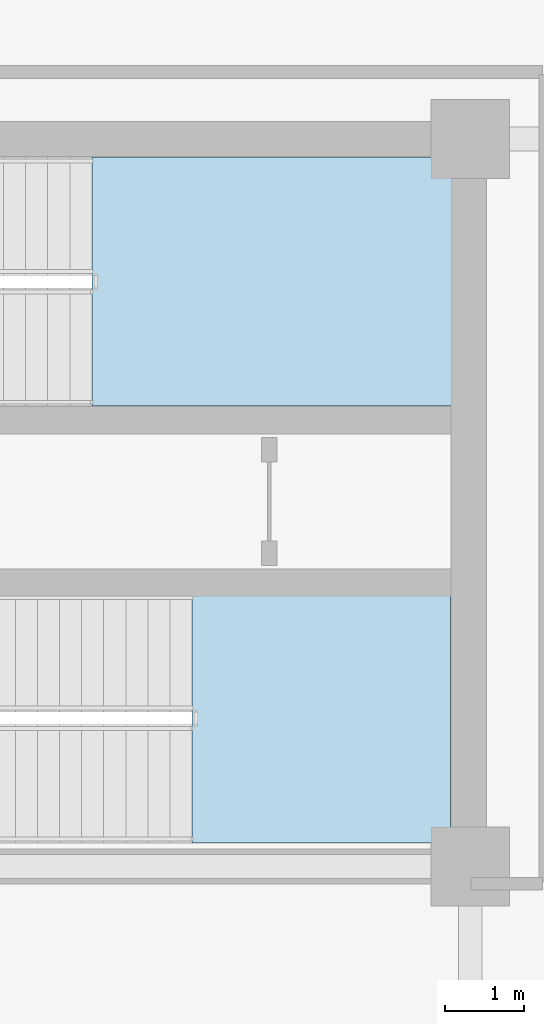
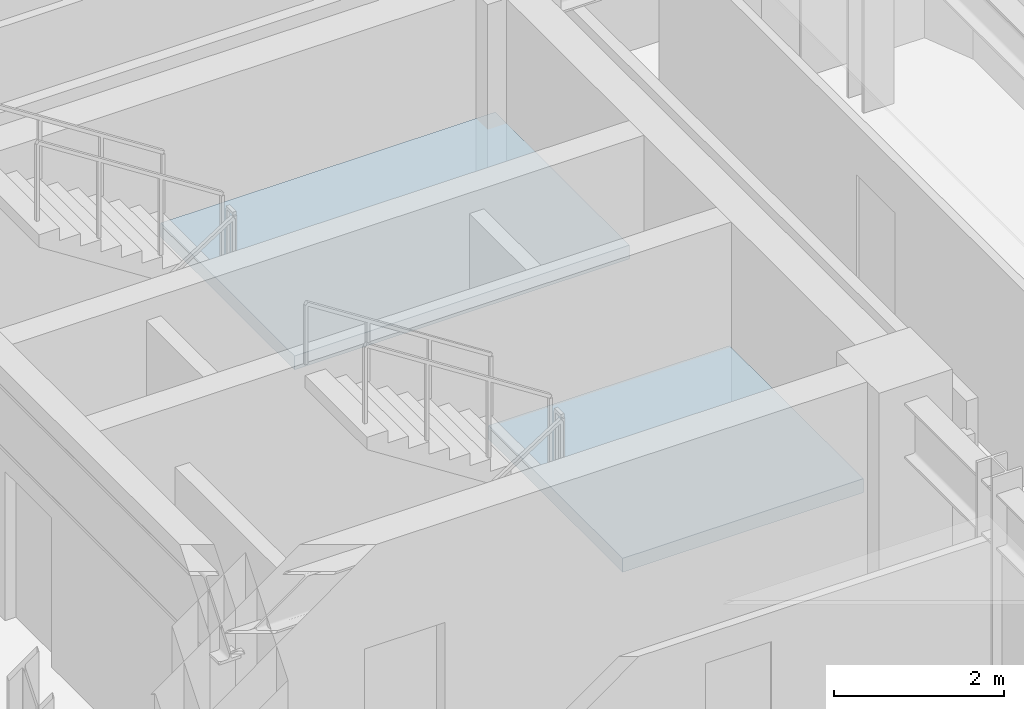
# One storey, part 4 of 14: 2 slabs, 2 elements without a shape of their own.
"""IFC4 building model written with IfcOpenShell, lengths in metres."""

from ifc_helpers import new_model, si_unit, direction, frame, origin, place, context, subcontext, project, spatial, polyline, outline, extrude, material, layer, layer_set, type_object, element, aggregate, save


model = new_model("IFC4")

# Units and contexts
model_context = context("Model", 3, precision=1e-05, world=origin(), true_north=direction((0.0, 1.0)))
body_context = subcontext(model_context, "Body", "Model", "MODEL_VIEW")
ifc_project = project(units=[si_unit("LENGTHUNIT", "METRE"), si_unit("AREAUNIT", "SQUARE_METRE"), si_unit("VOLUMEUNIT", "CUBIC_METRE"), si_unit("PLANEANGLEUNIT", "RADIAN"), si_unit("MASSUNIT", "GRAM", prefix="KILO")], contexts=[model_context])

# Site, building, storey
site_placement = place(None, origin())
site = spatial("IfcSite", under=ifc_project, at=site_placement, CompositionType="ELEMENT")
building_placement = place(site_placement, origin())
building = spatial("IfcBuilding", under=site, at=building_placement, Name="Zarnavel Station Tower", CompositionType="ELEMENT")
storey_placement = place(building_placement, frame((0.0, 0.0, 211.199951171875)))
storey = spatial("IfcBuildingStorey", under=building, at=storey_placement, Name="L57", CompositionType="ELEMENT", Elevation=211.199951171875)

# Stair, slab
ifc_material_1 = material(Name="Concrete C45/55", Category="concrete")
stair_type = type_object("IfcStairType", Name="ST_CORE_150", PredefinedType="HALF_TURN_STAIR", material=ifc_material_1)
stair_1_placement = place(storey_placement, origin())
stair_1 = element("IfcStair", 1, at=stair_1_placement, inside=storey, type_object=stair_type, Name="L57 Core Exit Stair ST2", PredefinedType="HALF_TURN_STAIR")
ifc_material_2 = material(Name="Concrete C45/55", Category="concrete")
ifc_layer = layer(ifc_material_2, 0.199951171875)
ifc_layer_set = layer_set([ifc_layer], Name="SL_STAIR_LAND_200")
slab_type = type_object("IfcSlabType", Name="SL_STAIR_LAND_200", PredefinedType="LANDING", material=ifc_layer_set)
slab_1_placement = place(storey_placement, frame((0.0, 0.0, 1.60009765625)))
slab_1 = element("IfcSlab", 2, at=slab_1_placement, type_object=slab_type, Name="ST2 landing 1", PredefinedType="LANDING", context=body_context, shape_type="SweptSolid", body=[
    extrude(outline(polyline([(40.60009765625, 33.659912109375), (45.159912109375, 33.659912109375), (45.159912109375, 36.820068359375), (40.60009765625, 36.820068359375), (40.60009765625, 33.659912109375)])), origin(), (0.0, 0.0, 1.0), 0.199951171875),
])
aggregate(stair_1, [slab_1])

stair_2_placement = place(storey_placement, origin())
stair_2 = element("IfcStair", 3, at=stair_2_placement, inside=storey, type_object=stair_type, Name="L57 Core Exit Stair ST3", PredefinedType="HALF_TURN_STAIR")
slab_2_placement = place(storey_placement, frame((0.0, 0.0, 1.60009765625)))
slab_2 = element("IfcSlab", 4, at=slab_2_placement, type_object=slab_type, Name="ST3 landing 1", PredefinedType="LANDING", context=body_context, shape_type="SweptSolid", body=[
    extrude(outline(polyline([(41.8701171875, 28.1201171875), (45.14990234375, 28.1201171875), (45.14990234375, 31.280029296875), (41.8701171875, 31.280029296875), (41.8701171875, 28.1201171875)])), origin(), (0.0, 0.0, 1.0), 0.199951171875),
])
aggregate(stair_2, [slab_2])

save(model, "model.ifc")
